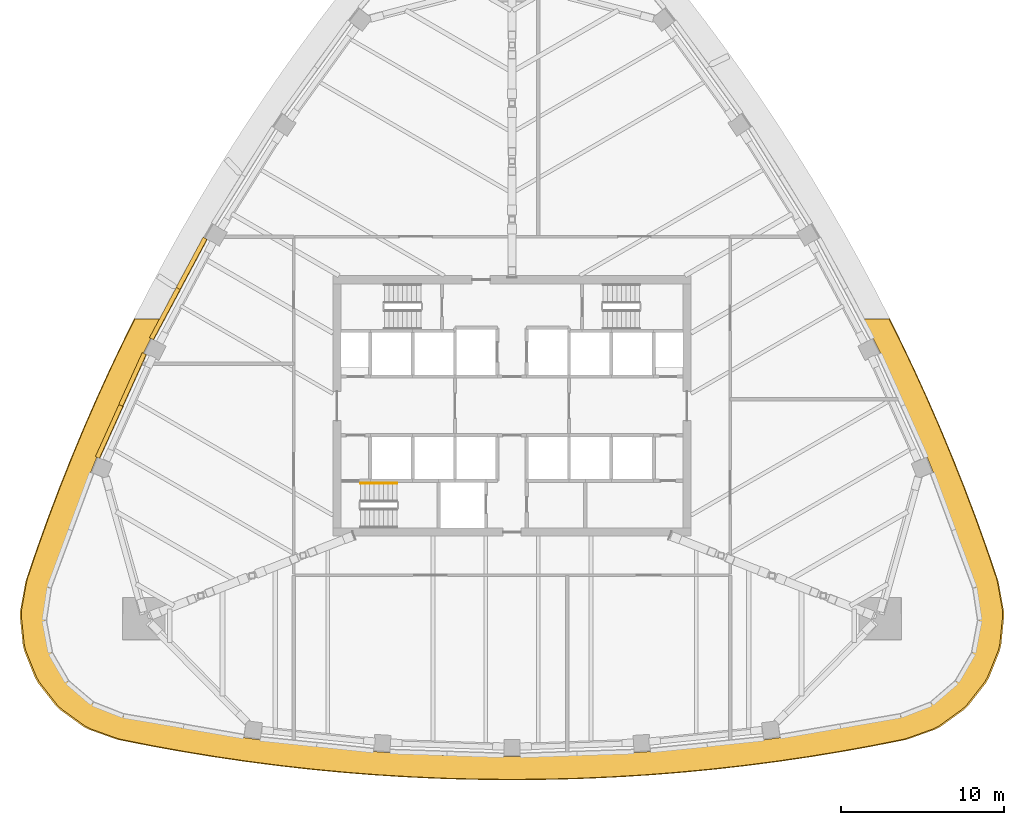
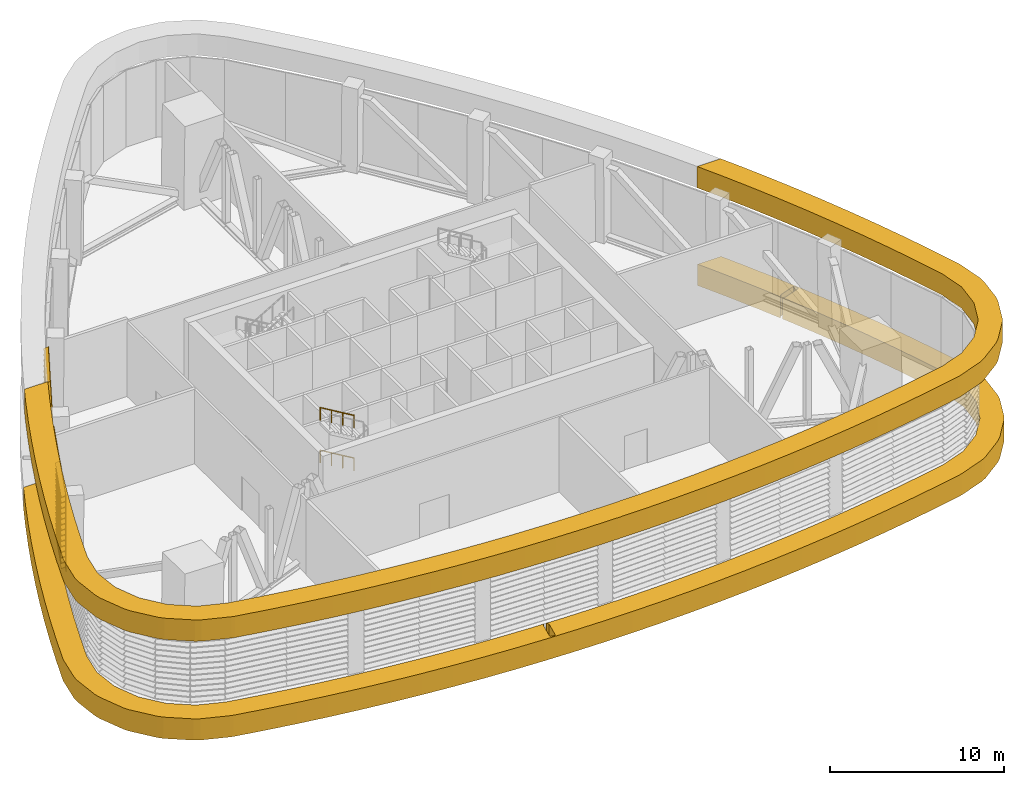
# One storey, part 13 of 18: 4 shading devices, 2 coverings, 2 railings.
"""IFC4 building model written with IfcOpenShell, lengths in metres."""

import ifcopenshell
import ifcopenshell.guid

model = None  # the IFC model being written
_history = None  # IfcOwnerHistory: only IFC2X3 demands one
_inside = {}  # id of a spatial element -> (the spatial element, [elements in it])
_under = {}  # id of a project, library or spatial element -> (it, [spatial elements below it])
_declared = {}  # id of a project -> (the project, [libraries it declares])
_typed = {}  # id of a type object -> (the type object, [elements of that type])
_made_of = {}  # id of a material, layer set ... -> (it, [elements and type objects made of it])


def new_model(schema):
    """Start an empty IFC model of exactly this schema.

    Asked for "IFC4X3", IfcOpenShell would pick the latest addendum, in which some entities
    have other attributes; the version numbers below select the first issue.
    IFC2X3 requires an IfcOwnerHistory on every rooted entity: one is made here for all.
    """
    global model, _history
    if schema == "IFC4X3":
        model = ifcopenshell.file(schema_version=(4, 3, 0, 0))
    else:
        model = ifcopenshell.file(schema=schema)
    _inside.clear()
    _under.clear()
    _declared.clear()
    _typed.clear()
    _made_of.clear()
    _history = None
    if model.schema == "IFC2X3":
        org = make("IfcOrganization", Name="unknown")
        user = make(
            "IfcPersonAndOrganization",
            ThePerson=make("IfcPerson", FamilyName="unknown"),
            TheOrganization=org,
        )
        app = make(
            "IfcApplication",
            ApplicationDeveloper=org,
            Version="unknown",
            ApplicationFullName="unknown",
            ApplicationIdentifier="unknown",
        )
        _history = make(
            "IfcOwnerHistory",
            OwningUser=user,
            OwningApplication=app,
            ChangeAction="ADDED",
            CreationDate=0,
        )
    return model


def make(cls, **values):
    """One entity of the class cls with the attributes given. An attribute that is None is left unset."""
    return model.create_entity(
        cls, **{name: value for name, value in values.items() if value is not None}
    )


def rooted(cls, **values):
    """An entity with a GlobalId (a new one), such as an element, a storey or a relation."""
    return make(cls, GlobalId=ifcopenshell.guid.new(), OwnerHistory=_history, **values)


def si_unit(unit_type, name, prefix=None):
    """IfcSIUnit, for example si_unit("LENGTHUNIT", "METRE", prefix="MILLI")."""
    return make("IfcSIUnit", UnitType=unit_type, Prefix=prefix, Name=name)


def assignment(units):
    """IfcUnitAssignment: the units of a project."""
    return None if units is None else make("IfcUnitAssignment", Units=units)


def point(xyz):
    """IfcCartesianPoint."""
    return None if xyz is None else make("IfcCartesianPoint", Coordinates=xyz)


def direction(xyz):
    """IfcDirection."""
    return None if xyz is None else make("IfcDirection", DirectionRatios=xyz)


def frame(location, z_axis=None, x_axis=None):
    """IfcAxis2Placement3D, a coordinate frame: its origin and axes. An axis left out is left unset."""
    return make(
        "IfcAxis2Placement3D",
        Location=point(location),
        Axis=direction(z_axis),
        RefDirection=direction(x_axis),
    )


def frame_2d(location, x_axis=None):
    """IfcAxis2Placement2D, a coordinate frame in the plane: its origin and x axis."""
    return make(
        "IfcAxis2Placement2D", Location=point(location), RefDirection=direction(x_axis)
    )


def origin():
    """The frame at (0, 0, 0) with its axes left unset."""
    return frame((0.0, 0.0, 0.0))


def origin_2d():
    """The frame at (0, 0) in the plane with its x axis left unset."""
    return frame_2d((0.0, 0.0))


def place(relative_to, where):
    """IfcLocalPlacement: puts the frame where relative to a parent placement (None: the world)."""
    return make(
        "IfcLocalPlacement", PlacementRelTo=relative_to, RelativePlacement=where
    )


def context(
    kind, dimensions, precision=None, world=None, true_north=None, identifier=None
):
    """IfcGeometricRepresentationContext, for example the 3D "Model" context."""
    return make(
        "IfcGeometricRepresentationContext",
        ContextIdentifier=identifier,
        ContextType=kind,
        CoordinateSpaceDimension=dimensions,
        Precision=precision,
        WorldCoordinateSystem=world,
        TrueNorth=true_north,
    )


def subcontext(parent, identifier, kind, view, scale=None):
    """IfcGeometricRepresentationSubContext, for example "Body" below "Model"."""
    return make(
        "IfcGeometricRepresentationSubContext",
        ContextIdentifier=identifier,
        ContextType=kind,
        ParentContext=parent,
        TargetScale=scale,
        TargetView=view,
    )


def project(units=None, contexts=None):
    """IfcProject with its units and contexts."""
    return rooted(
        "IfcProject",
        Name="project",
        RepresentationContexts=contexts,
        UnitsInContext=assignment(units),
    )


def spatial(cls, under=None, at=None, **own):
    """A site, building, storey or space (cls), placed at a placement, below another one or the project."""
    s = rooted(cls, ObjectPlacement=at, **own)
    if under is not None:
        _under.setdefault(under.id(), (under, []))[1].append(s)
    return s


def polyline(points):
    """IfcPolyline through the points."""
    return make("IfcPolyline", Points=[point(p) for p in points])


def profile(cls, at=None, kind="AREA", **sizes):
    """A parametric profile (cls). Its sizes go by their IFC names, for example OverallWidth=200.0."""
    return make(cls, ProfileType=kind, Position=at, **sizes)


def circle(**sizes):
    """IfcCircleProfileDef."""
    return profile("IfcCircleProfileDef", **sizes)


def outline(outer, holes=None, kind="AREA"):
    """IfcArbitraryClosedProfileDef: a profile drawn as a closed curve; with holes, ...WithVoids."""
    if holes is None:
        return make("IfcArbitraryClosedProfileDef", ProfileType=kind, OuterCurve=outer)
    return make(
        "IfcArbitraryProfileDefWithVoids",
        ProfileType=kind,
        OuterCurve=outer,
        InnerCurves=holes,
    )


def extrude(swept, where, along, depth):
    """IfcExtrudedAreaSolid: the profile swept, set in the frame where, extruded along a direction by depth."""
    return make(
        "IfcExtrudedAreaSolid",
        SweptArea=swept,
        Position=where,
        ExtrudedDirection=direction(along),
        Depth=depth,
    )


def shape(context_of_items, identifier, shape_type, items):
    """IfcShapeRepresentation: the items that make up one representation, for example the "Body"."""
    return make(
        "IfcShapeRepresentation",
        ContextOfItems=context_of_items,
        RepresentationIdentifier=identifier,
        RepresentationType=shape_type,
        Items=items,
    )


def material(Name=None, Category=None):
    """IfcMaterial."""
    return make("IfcMaterial", Name=Name, Category=Category)


def layer(
    of_material, thickness, ventilated=None, Name=None, Category=None, Priority=None
):
    """IfcMaterialLayer: one layer of a wall or slab, of a material (None: an air gap)."""
    return make(
        "IfcMaterialLayer",
        Material=of_material,
        LayerThickness=thickness,
        IsVentilated=ventilated,
        Name=Name,
        Category=Category,
        Priority=Priority,
    )


def layer_set(layers, Name=None):
    """IfcMaterialLayerSet."""
    return make("IfcMaterialLayerSet", MaterialLayers=layers, LayerSetName=Name)


def made_of(thing, what):
    """Note that an element or type object is made of a material, layer set ...; save() writes the relation."""
    if what is not None:
        _made_of.setdefault(what.id(), (what, []))[1].append(thing)
    return thing


def type_object(cls, material=None, **own):
    """A type object (cls), such as IfcWallType, which elements share."""
    return made_of(rooted(cls, **own), material)


def element(
    cls,
    number,
    at=None,
    inside=None,
    cuts=None,
    type_object=None,
    material=None,
    context=None,
    identifier="Body",
    shape_type=None,
    held_by="IfcProductDefinitionShape",
    body=None,
    shapes=None,
    **own,
):
    """One element of the class cls, such as IfcWall. Its Tag is "e" and its number.

    at: its placement. inside: the storey or other place that contains it. cuts: it is an
    opening in that element (IfcRelVoidsElement). A single representation is given by context,
    identifier, shape_type and body (its items); several are given by shapes. held_by: the class
    of the entity that holds the representations. save() writes the other relations.
    """
    e = rooted(cls, Tag="e%d" % number, ObjectPlacement=at, **own)
    if body is not None:
        shapes = [shape(context, identifier, shape_type, body)]
    if shapes is not None:
        e.Representation = make(held_by, Representations=shapes)
    if inside is not None:
        _inside.setdefault(inside.id(), (inside, []))[1].append(e)
    if cuts is not None:
        rooted(
            "IfcRelVoidsElement", RelatingBuildingElement=cuts, RelatedOpeningElement=e
        )
    if type_object is not None:
        _typed.setdefault(type_object.id(), (type_object, []))[1].append(e)
    return made_of(e, material)


def aggregate(whole, parts):
    """IfcRelAggregates: a whole, such as a stair, and the parts it consists of."""
    return rooted("IfcRelAggregates", RelatingObject=whole, RelatedObjects=parts)


def save(model, path):
    """Write the relations noted so far, then the file.

    IfcRelAggregates (storeys below a building ...), IfcRelContainedInSpatialStructure (elements
    in a storey), IfcRelDefinesByType, IfcRelAssociatesMaterial and IfcRelDeclares: one each for
    every whole, place, type object, material and project.
    """
    for whole, parts in _under.values():
        aggregate(whole, parts)
    for where, things in _inside.values():
        rooted(
            "IfcRelContainedInSpatialStructure",
            RelatedElements=things,
            RelatingStructure=where,
        )
    for kind, things in _typed.values():
        rooted("IfcRelDefinesByType", RelatedObjects=things, RelatingType=kind)
    for what, things in _made_of.values():
        rooted("IfcRelAssociatesMaterial", RelatedObjects=things, RelatingMaterial=what)
    for by, libraries in _declared.values():
        rooted("IfcRelDeclares", RelatingContext=by, RelatedDefinitions=libraries)
    model.write(path)


model = new_model("IFC4")

# Units and contexts
model_context = context("Model", 3, precision=1e-05, world=origin(), true_north=direction((0.0, 1.0)))
body_context = subcontext(model_context, "Body", "Model", "MODEL_VIEW")
ifc_project = project(units=[si_unit("LENGTHUNIT", "METRE"), si_unit("AREAUNIT", "SQUARE_METRE"), si_unit("VOLUMEUNIT", "CUBIC_METRE"), si_unit("PLANEANGLEUNIT", "RADIAN"), si_unit("MASSUNIT", "GRAM", prefix="KILO")], contexts=[model_context])

# Site, building, storey
site_placement = place(None, origin())
site = spatial("IfcSite", under=ifc_project, at=site_placement, CompositionType="ELEMENT")
building_placement = place(site_placement, origin())
building = spatial("IfcBuilding", under=site, at=building_placement, Name="Sierra Prisma Convention Tower", CompositionType="ELEMENT")
storey_placement = place(building_placement, frame((0.0, 0.0, 213.800048828125)))
storey = spatial("IfcBuildingStorey", under=building, at=storey_placement, Name="L48", CompositionType="ELEMENT", Elevation=213.800048828125)

# Coverings
ifc_material_1 = material(Name="Aluminium composite bronze anodised", Category="aluminium")
ifc_layer = layer(ifc_material_1, 1.39990234375)
ifc_layer_set = layer_set([ifc_layer], Name="Bronze belt mass")
covering_type = type_object("IfcCoveringType", Name="Bronze belt mass", PredefinedType="CLADDING", material=ifc_layer_set)
covering_1_placement = place(storey_placement, frame((0.0, 0.0, -1.5)))
element("IfcCovering", 1, at=covering_1_placement, inside=storey, type_object=covering_type, Name="Belt mass lower L48.1", PredefinedType="CLADDING", context=body_context, shape_type="SweptSolid", body=[
    extrude(outline(polyline([(-27.876708984375, -5.189208984375), (-27.868408203125, -5.16796875), (-27.16064453125, -3.37890625), (-27.152099609375, -3.357666015625), (-26.415283203125, -1.580322265625), (-26.40625, -1.559326171875), (-25.640380859375, 0.205810546875), (-25.63134765625, 0.2265625), (-24.8369140625, 1.978759765625), (-24.8271484375, 1.99951171875), (-24.004150390625, 3.738525390625), (-23.994384765625, 3.75927734375), (-23.205078125, 5.359130859375), (-21.6337890625, 5.359130859375), (-21.887451171875, 4.865234375), (-22.73876953125, 3.139892578125), (-23.561767578125, 1.400634765625), (-24.356201171875, -0.3515625), (-25.1220703125, -2.11669921875), (-25.85888671875, -3.893798828125), (-26.566650390625, -5.682861328125), (-27.2451171875, -7.4833984375), (-27.894287109375, -9.29443359375), (-28.513671875, -11.115966796875), (-28.822998046875, -12.8251953125), (-28.64599609375, -14.552978515625), (-27.996826171875, -16.1640625), (-26.92626953125, -17.53173828125), (-25.518310546875, -18.548828125), (-23.883544921875, -19.135498046875), (-21.996337890625, -19.510009765625), (-20.103271484375, -19.853515625), (-18.204833984375, -20.166015625), (-16.301513671875, -20.447509765625), (-14.39404296875, -20.697998046875), (-12.482666015625, -20.917236328125), (-10.56787109375, -21.10546875), (-8.650146484375, -21.26220703125), (-6.730224609375, -21.3876953125), (-4.80859375, -21.48193359375), (-4.08642578125, -21.505615234375), (-4.0869140625, -21.505615234375), (-4.091796875, -21.5078125), (-4.09619140625, -21.510498046875), (-4.100341796875, -21.513671875), (-4.10400390625, -21.51708984375), (-4.107421875, -21.52099609375), (-4.183837890625, -21.61669921875), (-4.1865234375, -21.62060546875), (-4.188720703125, -21.62451171875), (-4.19091796875, -21.62890625), (-4.1923828125, -21.63330078125), (-4.193603515625, -21.6376953125), (-4.419921875, -22.714111328125), (-4.420654296875, -22.718994140625), (-4.4208984375, -22.723876953125), (-4.420654296875, -22.728759765625), (-4.419921875, -22.733642578125), (-4.4189453125, -22.73828125), (-4.417236328125, -22.7431640625), (-4.415283203125, -22.74755859375), (-4.41259765625, -22.751708984375), (-4.409912109375, -22.755615234375), (-4.406494140625, -22.759521484375), (-4.403076171875, -22.7626953125), (-4.399169921875, -22.765625), (-4.39501953125, -22.768310546875), (-4.390380859375, -22.7705078125), (-4.385986328125, -22.772216796875), (-4.381103515625, -22.7734375), (-4.136474609375, -22.82470703125), (-4.131591796875, -22.82568359375), (-4.126708984375, -22.82568359375), (-4.121826171875, -22.82568359375), (-4.116943359375, -22.824951171875), (-4.1123046875, -22.823974609375), (-4.107666015625, -22.822265625), (-4.10302734375, -22.8203125), (-4.098876953125, -22.817626953125), (-4.094970703125, -22.814697265625), (-4.09130859375, -22.8115234375), (-4.087890625, -22.80810546875), (-4.0849609375, -22.80419921875), (-4.08251953125, -22.7998046875), (-4.080078125, -22.79541015625), (-4.07861328125, -22.791015625), (-4.077392578125, -22.7861328125), (-3.85107421875, -21.709716796875), (-3.850341796875, -21.705078125), (-3.85009765625, -21.700439453125), (-3.85009765625, -21.69580078125), (-3.8505859375, -21.691162109375), (-3.8515625, -21.6865234375), (-3.85302734375, -21.68212890625), (-3.854736328125, -21.677978515625), (-3.92333984375, -21.533935546875), (-3.925537109375, -21.529541015625), (-3.928466796875, -21.525390625), (-3.931640625, -21.521484375), (-3.93505859375, -21.51806640625), (-3.93896484375, -21.514892578125), (-3.943115234375, -21.51220703125), (-3.947509765625, -21.510009765625), (-2.8857421875, -21.544677734375), (-0.9619140625, -21.576171875), (0.9619140625, -21.576171875), (2.8857421875, -21.544677734375), (4.80859375, -21.48193359375), (6.730224609375, -21.3876953125), (8.650146484375, -21.26220703125), (10.56787109375, -21.10546875), (12.482666015625, -20.917236328125), (14.39404296875, -20.697998046875), (16.301513671875, -20.447509765625), (18.204833984375, -20.166015625), (20.103271484375, -19.853515625), (21.996337890625, -19.510009765625), (23.883544921875, -19.135498046875), (25.518310546875, -18.548828125), (26.92626953125, -17.53173828125), (27.996826171875, -16.1640625), (28.64599609375, -14.552978515625), (28.822998046875, -12.8251953125), (28.513671875, -11.115966796875), (27.894287109375, -9.29443359375), (27.2451171875, -7.4833984375), (26.566650390625, -5.682861328125), (25.85888671875, -3.893798828125), (25.1220703125, -2.11669921875), (24.356201171875, -0.3515625), (24.193603515625, 0.007080078125), (24.19482421875, 0.00537109375), (24.1982421875, 0.001953125), (24.201904296875, -0.001220703125), (24.2060546875, -0.00390625), (24.210205078125, -0.00634765625), (24.214599609375, -0.00830078125), (24.21923828125, -0.010009765625), (24.22412109375, -0.010986328125), (24.35400390625, -0.03369140625), (24.359130859375, -0.034423828125), (24.3642578125, -0.034423828125), (24.369384765625, -0.0341796875), (24.37451171875, -0.033203125), (24.37939453125, -0.03173828125), (25.4169921875, 0.33349609375), (25.42138671875, 0.33544921875), (25.42578125, 0.337646484375), (25.429931640625, 0.34033203125), (25.43359375, 0.343505859375), (25.437255859375, 0.346923828125), (25.440185546875, 0.350830078125), (25.443115234375, 0.354736328125), (25.4453125, 0.359130859375), (25.447265625, 0.36376953125), (25.44873046875, 0.368408203125), (25.44970703125, 0.373291015625), (25.4501953125, 0.3779296875), (25.4501953125, 0.3828125), (25.44970703125, 0.3876953125), (25.448974609375, 0.392578125), (25.447509765625, 0.3974609375), (25.364501953125, 0.63330078125), (25.362548828125, 0.6376953125), (25.3603515625, 0.64208984375), (25.357666015625, 0.64599609375), (25.3544921875, 0.64990234375), (25.35107421875, 0.6533203125), (25.347412109375, 0.656494140625), (25.34326171875, 0.6591796875), (25.3388671875, 0.66162109375), (25.33447265625, 0.66357421875), (25.32958984375, 0.6650390625), (25.324951171875, 0.666015625), (25.320068359375, 0.66650390625), (25.315185546875, 0.66650390625), (25.310302734375, 0.666015625), (25.305419921875, 0.6650390625), (25.30078125, 0.663818359375), (24.26318359375, 0.298583984375), (24.258544921875, 0.29638671875), (24.25390625, 0.294189453125), (24.249755859375, 0.29150390625), (24.24609375, 0.2880859375), (24.242431640625, 0.28466796875), (24.2392578125, 0.28076171875), (24.15087890625, 0.15869140625), (24.148193359375, 0.15478515625), (24.14599609375, 0.150390625), (24.144287109375, 0.14599609375), (24.142822265625, 0.1416015625), (24.141845703125, 0.13671875), (24.141357421875, 0.132080078125), (24.141357421875, 0.127197265625), (24.141845703125, 0.12255859375), (24.14208984375, 0.12060546875), (23.561767578125, 1.400634765625), (22.73876953125, 3.139892578125), (21.887451171875, 4.865234375), (21.6337890625, 5.359130859375), (23.205078125, 5.359130859375), (23.994384765625, 3.75927734375), (24.004150390625, 3.738525390625), (24.8271484375, 1.99951171875), (24.8369140625, 1.978759765625), (25.63134765625, 0.2265625), (25.640380859375, 0.205810546875), (26.40625, -1.559326171875), (26.415283203125, -1.580322265625), (27.152099609375, -3.357666015625), (27.16064453125, -3.37890625), (27.868408203125, -5.16796875), (27.876708984375, -5.189208984375), (28.55517578125, -6.989501953125), (28.56298828125, -7.010986328125), (29.212158203125, -8.822265625), (29.2197265625, -8.84375), (29.839111328125, -10.665283203125), (29.89111328125, -10.86669921875), (30.20068359375, -12.57568359375), (30.2158203125, -12.9677734375), (30.038818359375, -14.695556640625), (29.944580078125, -15.076416015625), (29.29541015625, -16.687255859375), (29.099365234375, -17.027099609375), (28.02880859375, -18.394775390625), (27.74609375, -18.66650390625), (26.338134765625, -19.68359375), (25.9912109375, -19.86669921875), (24.3564453125, -20.453125), (24.156005859375, -20.5087890625), (22.268798828125, -20.883056640625), (22.246337890625, -20.887451171875), (20.353271484375, -21.23095703125), (20.330810546875, -21.23486328125), (18.432373046875, -21.54736328125), (18.409912109375, -21.55078125), (16.506591796875, -21.83251953125), (16.48388671875, -21.835693359375), (14.576416015625, -22.086181640625), (14.5537109375, -22.0888671875), (12.64208984375, -22.30810546875), (12.619384765625, -22.310546875), (10.70458984375, -22.498779296875), (10.681884765625, -22.500732421875), (8.764404296875, -22.65771484375), (8.74169921875, -22.6591796875), (6.82177734375, -22.784912109375), (6.798828125, -22.7861328125), (4.877197265625, -22.880126953125), (4.8544921875, -22.881103515625), (2.931396484375, -22.94384765625), (2.90869140625, -22.944580078125), (0.98486328125, -22.975830078125), (0.9619140625, -22.97607421875), (-0.9619140625, -22.97607421875), (-0.98486328125, -22.975830078125), (-2.90869140625, -22.944580078125), (-2.931396484375, -22.94384765625), (-4.8544921875, -22.881103515625), (-4.877197265625, -22.880126953125), (-6.798828125, -22.7861328125), (-6.82177734375, -22.784912109375), (-8.74169921875, -22.6591796875), (-8.764404296875, -22.65771484375), (-10.681884765625, -22.500732421875), (-10.70458984375, -22.498779296875), (-12.619384765625, -22.310546875), (-12.64208984375, -22.30810546875), (-14.5537109375, -22.0888671875), (-14.576416015625, -22.086181640625), (-16.48388671875, -21.835693359375), (-16.506591796875, -21.83251953125), (-18.409912109375, -21.55078125), (-18.432373046875, -21.54736328125), (-20.330810546875, -21.23486328125), (-20.353271484375, -21.23095703125), (-22.246337890625, -20.887451171875), (-22.268798828125, -20.883056640625), (-24.156005859375, -20.5087890625), (-24.3564453125, -20.453125), (-25.9912109375, -19.86669921875), (-26.338134765625, -19.68359375), (-27.74609375, -18.66650390625), (-28.02880859375, -18.394775390625), (-29.099365234375, -17.027099609375), (-29.29541015625, -16.687255859375), (-29.944580078125, -15.076416015625), (-30.038818359375, -14.695556640625), (-30.2158203125, -12.9677734375), (-30.20068359375, -12.57568359375), (-29.89111328125, -10.86669921875), (-29.839111328125, -10.665283203125), (-29.2197265625, -8.84375), (-29.212158203125, -8.822265625), (-28.56298828125, -7.010986328125), (-28.55517578125, -6.989501953125), (-27.876708984375, -5.189208984375)])), origin(), (0.0, 0.0, 1.0), 1.5),
])
covering_2_placement = place(storey_placement, frame((0.0, 0.0, 5.39990234375)))
element("IfcCovering", 2, at=covering_2_placement, inside=storey, type_object=covering_type, Name="Belt mass upper L48.1", PredefinedType="CLADDING", context=body_context, shape_type="SweptSolid", body=[
    extrude(outline(polyline([(-26.240478515625, -19.64404296875), (-27.654541015625, -18.622314453125), (-27.93701171875, -18.3505859375), (-29.012451171875, -16.976806640625), (-29.20849609375, -16.63720703125), (-29.860595703125, -15.01904296875), (-29.95458984375, -14.63818359375), (-30.132568359375, -12.90283203125), (-30.117431640625, -12.510986328125), (-29.806884765625, -10.794189453125), (-29.754638671875, -10.59228515625), (-29.11181640625, -8.70361328125), (-29.10400390625, -8.680908203125), (-28.42919921875, -6.80322265625), (-28.4208984375, -6.78076171875), (-27.71435546875, -4.914794921875), (-27.705810546875, -4.892578125), (-26.967529296875, -3.038818359375), (-26.95849609375, -3.016845703125), (-26.188720703125, -1.17578125), (-26.179443359375, -1.154052734375), (-25.378662109375, 0.673583984375), (-25.368896484375, 0.6953125), (-24.536865234375, 2.509033203125), (-24.52685546875, 2.530517578125), (-23.664306640625, 4.329833984375), (-23.65380859375, 4.351318359375), (-23.1640625, 5.329833984375), (-21.598388671875, 5.329833984375), (-22.40185546875, 3.724609375), (-23.264404296875, 1.92529296875), (-24.09619140625, 0.111572265625), (-24.897216796875, -1.7158203125), (-25.6669921875, -3.556884765625), (-26.405029296875, -5.41064453125), (-27.11181640625, -7.276611328125), (-27.78662109375, -9.154296875), (-28.42919921875, -11.04345703125), (-28.73974609375, -12.760009765625), (-28.56201171875, -14.49560546875), (-27.909912109375, -16.11376953125), (-26.834716796875, -17.487548828125), (-25.42041015625, -18.50927734375), (-23.778564453125, -19.0986328125), (-21.8212890625, -19.486572265625), (-19.857666015625, -19.841064453125), (-17.88818359375, -20.162109375), (-15.913818359375, -20.44970703125), (-13.9345703125, -20.70361328125), (-11.951416015625, -20.923828125), (-9.96484375, -21.110107421875), (-7.975341796875, -21.2626953125), (-5.9833984375, -21.381591796875), (-3.989990234375, -21.46630859375), (-1.995361328125, -21.517333984375), (0.0, -21.5341796875), (1.995361328125, -21.517333984375), (3.989990234375, -21.46630859375), (5.9833984375, -21.381591796875), (7.975341796875, -21.2626953125), (9.96484375, -21.110107421875), (11.951416015625, -20.923828125), (13.9345703125, -20.70361328125), (15.913818359375, -20.44970703125), (17.88818359375, -20.162109375), (19.857666015625, -19.841064453125), (21.8212890625, -19.486572265625), (23.778564453125, -19.0986328125), (25.42041015625, -18.50927734375), (26.834716796875, -17.487548828125), (27.909912109375, -16.11376953125), (28.56201171875, -14.49560546875), (28.73974609375, -12.760009765625), (28.42919921875, -11.04345703125), (27.78662109375, -9.154296875), (27.11181640625, -7.276611328125), (26.405029296875, -5.41064453125), (25.6669921875, -3.556884765625), (24.897216796875, -1.7158203125), (24.09619140625, 0.111572265625), (23.264404296875, 1.92529296875), (22.40185546875, 3.724609375), (21.598388671875, 5.329833984375), (23.1640625, 5.329833984375), (23.65380859375, 4.351318359375), (23.664306640625, 4.329833984375), (24.52685546875, 2.530517578125), (24.536865234375, 2.509033203125), (25.368896484375, 0.6953125), (25.378662109375, 0.673583984375), (26.179443359375, -1.154052734375), (26.188720703125, -1.17578125), (26.95849609375, -3.016845703125), (26.967529296875, -3.038818359375), (27.705810546875, -4.892578125), (27.71435546875, -4.914794921875), (28.4208984375, -6.78076171875), (28.42919921875, -6.80322265625), (29.10400390625, -8.680908203125), (29.11181640625, -8.70361328125), (29.754638671875, -10.59228515625), (29.806884765625, -10.794189453125), (30.117431640625, -12.510986328125), (30.132568359375, -12.90283203125), (29.95458984375, -14.63818359375), (29.860595703125, -15.01904296875), (29.20849609375, -16.63720703125), (29.012451171875, -16.976806640625), (27.93701171875, -18.3505859375), (27.654541015625, -18.622314453125), (26.240478515625, -19.64404296875), (25.8935546875, -19.826904296875), (24.25146484375, -20.41650390625), (24.050537109375, -20.471923828125), (22.093505859375, -20.85986328125), (22.070068359375, -20.8642578125), (20.1064453125, -21.218994140625), (20.0830078125, -21.222900390625), (18.113525390625, -21.5439453125), (18.090087890625, -21.547607421875), (16.115478515625, -21.835205078125), (16.091796875, -21.83837890625), (14.11279296875, -22.09228515625), (14.089111328125, -22.09521484375), (12.10595703125, -22.315185546875), (12.082275390625, -22.317626953125), (10.095703125, -22.504150390625), (10.072021484375, -22.506103515625), (8.08251953125, -22.65869140625), (8.05859375, -22.660400390625), (6.06689453125, -22.779052734375), (6.04296875, -22.7802734375), (4.049560546875, -22.864990234375), (4.025634765625, -22.865966796875), (2.031005859375, -22.9169921875), (2.007080078125, -22.917236328125), (0.011962890625, -22.93408203125), (-0.011962890625, -22.93408203125), (-2.007080078125, -22.917236328125), (-2.031005859375, -22.9169921875), (-4.025634765625, -22.865966796875), (-4.049560546875, -22.864990234375), (-6.04296875, -22.7802734375), (-6.06689453125, -22.779052734375), (-8.05859375, -22.660400390625), (-8.08251953125, -22.65869140625), (-10.072021484375, -22.506103515625), (-10.095703125, -22.504150390625), (-12.082275390625, -22.317626953125), (-12.10595703125, -22.315185546875), (-14.089111328125, -22.09521484375), (-14.11279296875, -22.09228515625), (-16.091796875, -21.83837890625), (-16.115478515625, -21.835205078125), (-18.090087890625, -21.547607421875), (-18.113525390625, -21.5439453125), (-20.0830078125, -21.222900390625), (-20.1064453125, -21.218994140625), (-22.070068359375, -20.8642578125), (-22.093505859375, -20.85986328125), (-24.050537109375, -20.471923828125), (-24.25146484375, -20.41650390625), (-25.8935546875, -19.826904296875), (-26.240478515625, -19.64404296875)])), origin(), (0.0, 0.0, 1.0), 1.5),
])

# Railings
ifc_material_2 = material(Name="Stainless steel", Category="steel")
railing_type = type_object("IfcRailingType", Name="Exit stair handrail", PredefinedType="HANDRAIL", material=ifc_material_2)
for number, where, name in (
    (3, (-7.06005859375, -4.75, 1.66650390625), "L48 S1 stair handrail 2"),
    (4, (-7.06005859375, -4.75, 4.66650390625), "L48 S1 stair handrail 4"),
):
    element("IfcRailing", number, at=place(storey_placement, frame(where)), inside=storey, type_object=railing_type, Name=name, PredefinedType="HANDRAIL", context=body_context, shape_type="SweptSolid", body=[
        extrude(circle(Radius=0.02392578125, at=origin_2d()), frame((0.0, 0.0, 0.8759765625), z_axis=(-0.859264461869, 0.0, 0.511531606619), x_axis=(0.0, -1.0, 0.0)), (0.0, 0.0, 1.0), 2.60693359375),
        extrude(circle(Radius=0.02099609375, at=origin_2d()), origin(), (0.0, 0.0, 1.0), 0.851806640625),
        extrude(circle(Radius=0.02099609375, at=origin_2d()), frame((-0.74658203125, 0.0, 0.444580078125)), (0.0, 0.0, 1.0), 0.851806640625),
        extrude(circle(Radius=0.02099609375, at=origin_2d()), frame((-1.493408203125, 0.0, 0.888916015625)), (0.0, 0.0, 1.0), 0.851806640625),
        extrude(circle(Radius=0.02099609375, at=origin_2d()), frame((-2.239990234375, 0.0, 1.33349609375)), (0.0, 0.0, 1.0), 0.851806640625),
    ])

# Shading devices
ifc_material_3 = material(Name="Aluminium 6063-T6 bronze anodised", Category="aluminium")
shading_device_type = type_object("IfcShadingDeviceType", Name="Louvre bay bronze", PredefinedType="USERDEFINED", material=ifc_material_3)
shading_device_1_placement = place(storey_placement, frame((-18.70751953125, 10.2236328125, 0.0), z_axis=(0.471925677276, 0.881638335786, 0.0), x_axis=(0.0, 0.0, 1.0)))
element("IfcShadingDevice", 5, at=shading_device_1_placement, inside=storey, type_object=shading_device_type, Name="Louvre L48 NW4.1", ObjectType="LOUVRE", PredefinedType="USERDEFINED", context=body_context, shape_type="SweptSolid", body=[
    extrude(outline(polyline([(0.0, 0.0), (5.39990234375, 0.0), (5.39990234375, -0.029928864635473878), (5.3798828125, -0.029928864635473878), (5.260009765625, -0.2999191888324222), (5.22998046875, -0.2999191888324222), (5.349853515625, -0.029928864635473878), (5.01416015625, -0.029928864635473878), (4.994140625, -0.029928864635473878), (4.874267578125, -0.2999191888324222), (4.84423828125, -0.2999191888324222), (4.96435546875, -0.029928864635473878), (4.62841796875, -0.029928864635473878), (4.608642578125, -0.029928864635473878), (4.488525390625, -0.2999191888324222), (4.45849609375, -0.2999191888324222), (4.57861328125, -0.029928864635473878), (4.242919921875, -0.029928864635473878), (4.222900390625, -0.029928864635473878), (4.102783203125, -0.2999191888324222), (4.07275390625, -0.2999191888324222), (4.19287109375, -0.029928864635473878), (3.857177734375, -0.029928864635473878), (3.837158203125, -0.029928864635473878), (3.717041015625, -0.2999191888324222), (3.68701171875, -0.2999191888324222), (3.80712890625, -0.029928864635473878), (3.471435546875, -0.029928864635473878), (3.451416015625, -0.029928864635473878), (3.331298828125, -0.2999191888324222), (3.30126953125, -0.2999191888324222), (3.42138671875, -0.029928864635473878), (3.085693359375, -0.029928864635473878), (3.065673828125, -0.029928864635473878), (2.945556640625, -0.2999191888324222), (2.915771484375, -0.2999191888324222), (3.03564453125, -0.029928864635473878), (2.699951171875, -0.029928864635473878), (2.679931640625, -0.029928864635473878), (2.56005859375, -0.2999191888324222), (2.530029296875, -0.2999191888324222), (2.64990234375, -0.029928864635473878), (2.314208984375, -0.029928864635473878), (2.294189453125, -0.029928864635473878), (2.17431640625, -0.2999191888324222), (2.144287109375, -0.2999191888324222), (2.26416015625, -0.029928864635473878), (1.928466796875, -0.029928864635473878), (1.908447265625, -0.029928864635473878), (1.78857421875, -0.2999191888324222), (1.758544921875, -0.2999191888324222), (1.87841796875, -0.029928864635473878), (1.542724609375, -0.029928864635473878), (1.522705078125, -0.029928864635473878), (1.40283203125, -0.2999191888324222), (1.372802734375, -0.2999191888324222), (1.492919921875, -0.029928864635473878), (1.156982421875, -0.029928864635473878), (1.13720703125, -0.029928864635473878), (1.01708984375, -0.2999191888324222), (0.987060546875, -0.2999191888324222), (1.107177734375, -0.029928864635473878), (0.771484375, -0.029928864635473878), (0.75146484375, -0.029928864635473878), (0.63134765625, -0.2999191888324222), (0.601318359375, -0.2999191888324222), (0.721435546875, -0.029928864635473878), (0.3857421875, -0.029928864635473878), (0.36572265625, -0.029928864635473878), (0.24560546875, -0.2999191888324222), (0.215576171875, -0.2999191888324222), (0.335693359375, -0.029928864635473878), (0.0, -0.029928864635473878), (0.0, 0.0)])), origin(), (0.0, 0.0, -1.0), 3.4990234375),
])
shading_device_2_placement = place(storey_placement, frame((-20.35302734375, 7.1357421875, 0.0), z_axis=(0.471925677276, 0.881638335786, 0.0), x_axis=(0.0, 0.0, 1.0)))
element("IfcShadingDevice", 6, at=shading_device_2_placement, inside=storey, type_object=shading_device_type, Name="Louvre L48 NW4.2", ObjectType="LOUVRE", PredefinedType="USERDEFINED", context=body_context, shape_type="SweptSolid", body=[
    extrude(outline(polyline([(0.0, 0.0), (5.39990234375, 0.0), (5.39990234375, -0.029928864635473878), (5.3798828125, -0.029928864635473878), (5.260009765625, -0.2999191888324222), (5.22998046875, -0.2999191888324222), (5.349853515625, -0.029928864635473878), (5.01416015625, -0.029928864635473878), (4.994140625, -0.029928864635473878), (4.874267578125, -0.2999191888324222), (4.84423828125, -0.2999191888324222), (4.96435546875, -0.029928864635473878), (4.62841796875, -0.029928864635473878), (4.608642578125, -0.029928864635473878), (4.488525390625, -0.2999191888324222), (4.45849609375, -0.2999191888324222), (4.57861328125, -0.029928864635473878), (4.242919921875, -0.029928864635473878), (4.222900390625, -0.029928864635473878), (4.102783203125, -0.2999191888324222), (4.07275390625, -0.2999191888324222), (4.19287109375, -0.029928864635473878), (3.857177734375, -0.029928864635473878), (3.837158203125, -0.029928864635473878), (3.717041015625, -0.2999191888324222), (3.68701171875, -0.2999191888324222), (3.80712890625, -0.029928864635473878), (3.471435546875, -0.029928864635473878), (3.451416015625, -0.029928864635473878), (3.331298828125, -0.2999191888324222), (3.30126953125, -0.2999191888324222), (3.42138671875, -0.029928864635473878), (3.085693359375, -0.029928864635473878), (3.065673828125, -0.029928864635473878), (2.945556640625, -0.2999191888324222), (2.915771484375, -0.2999191888324222), (3.03564453125, -0.029928864635473878), (2.699951171875, -0.029928864635473878), (2.679931640625, -0.029928864635473878), (2.56005859375, -0.2999191888324222), (2.530029296875, -0.2999191888324222), (2.64990234375, -0.029928864635473878), (2.314208984375, -0.029928864635473878), (2.294189453125, -0.029928864635473878), (2.17431640625, -0.2999191888324222), (2.144287109375, -0.2999191888324222), (2.26416015625, -0.029928864635473878), (1.928466796875, -0.029928864635473878), (1.908447265625, -0.029928864635473878), (1.78857421875, -0.2999191888324222), (1.758544921875, -0.2999191888324222), (1.87841796875, -0.029928864635473878), (1.542724609375, -0.029928864635473878), (1.522705078125, -0.029928864635473878), (1.40283203125, -0.2999191888324222), (1.372802734375, -0.2999191888324222), (1.492919921875, -0.029928864635473878), (1.156982421875, -0.029928864635473878), (1.13720703125, -0.029928864635473878), (1.01708984375, -0.2999191888324222), (0.987060546875, -0.2999191888324222), (1.107177734375, -0.029928864635473878), (0.771484375, -0.029928864635473878), (0.75146484375, -0.029928864635473878), (0.63134765625, -0.2999191888324222), (0.601318359375, -0.2999191888324222), (0.721435546875, -0.029928864635473878), (0.3857421875, -0.029928864635473878), (0.36572265625, -0.029928864635473878), (0.24560546875, -0.2999191888324222), (0.215576171875, -0.2999191888324222), (0.335693359375, -0.029928864635473878), (0.0, -0.029928864635473878), (0.0, 0.0)])), origin(), (0.0, 0.0, -1.0), 3.4990234375),
])
shading_device_3_placement = place(storey_placement, frame((-22.438232421875, 3.150146484375, 0.0), z_axis=(0.412116229929, 0.911131281994, 0.0), x_axis=(0.0, 0.0, 1.0)))
element("IfcShadingDevice", 7, at=shading_device_3_placement, inside=storey, type_object=shading_device_type, Name="Louvre L48 NW5.1", ObjectType="LOUVRE", PredefinedType="USERDEFINED", context=body_context, shape_type="SweptSolid", body=[
    extrude(outline(polyline([(0.0, 0.0), (5.39990234375, 0.0), (5.39990234375, -0.030045076003362634), (5.3798828125, -0.030045076003362634), (5.260009765625, -0.2999689039966364), (5.22998046875, -0.2999689039966364), (5.349853515625, -0.030045076003362634), (5.01416015625, -0.030045076003362634), (4.994140625, -0.030045076003362634), (4.874267578125, -0.2999689039966364), (4.84423828125, -0.2999689039966364), (4.96435546875, -0.030045076003362634), (4.62841796875, -0.030045076003362634), (4.608642578125, -0.030045076003362634), (4.488525390625, -0.2999689039966364), (4.45849609375, -0.2999689039966364), (4.57861328125, -0.030045076003362634), (4.242919921875, -0.030045076003362634), (4.222900390625, -0.030045076003362634), (4.102783203125, -0.2999689039966364), (4.07275390625, -0.2999689039966364), (4.19287109375, -0.030045076003362634), (3.857177734375, -0.030045076003362634), (3.837158203125, -0.030045076003362634), (3.717041015625, -0.2999689039966364), (3.68701171875, -0.2999689039966364), (3.80712890625, -0.030045076003362634), (3.471435546875, -0.030045076003362634), (3.451416015625, -0.030045076003362634), (3.331298828125, -0.2999689039966364), (3.30126953125, -0.2999689039966364), (3.42138671875, -0.030045076003362634), (3.085693359375, -0.030045076003362634), (3.065673828125, -0.030045076003362634), (2.945556640625, -0.2999689039966364), (2.915771484375, -0.2999689039966364), (3.03564453125, -0.030045076003362634), (2.699951171875, -0.030045076003362634), (2.679931640625, -0.030045076003362634), (2.56005859375, -0.2999689039966364), (2.530029296875, -0.2999689039966364), (2.64990234375, -0.030045076003362634), (2.314208984375, -0.030045076003362634), (2.294189453125, -0.030045076003362634), (2.17431640625, -0.2999689039966364), (2.144287109375, -0.2999689039966364), (2.26416015625, -0.030045076003362634), (1.928466796875, -0.030045076003362634), (1.908447265625, -0.030045076003362634), (1.78857421875, -0.2999689039966364), (1.758544921875, -0.2999689039966364), (1.87841796875, -0.030045076003362634), (1.542724609375, -0.030045076003362634), (1.522705078125, -0.030045076003362634), (1.40283203125, -0.2999689039966364), (1.372802734375, -0.2999689039966364), (1.492919921875, -0.030045076003362634), (1.156982421875, -0.030045076003362634), (1.13720703125, -0.030045076003362634), (1.01708984375, -0.2999689039966364), (0.987060546875, -0.2999689039966364), (1.107177734375, -0.030045076003362634), (0.771484375, -0.030045076003362634), (0.75146484375, -0.030045076003362634), (0.63134765625, -0.2999689039966364), (0.601318359375, -0.2999689039966364), (0.721435546875, -0.030045076003362634), (0.3857421875, -0.030045076003362634), (0.36572265625, -0.030045076003362634), (0.24560546875, -0.2999689039966364), (0.215576171875, -0.2999689039966364), (0.335693359375, -0.030045076003362634), (0.0, -0.030045076003362634), (0.0, 0.0)])), origin(), (0.0, 0.0, -1.0), 3.4990234375),
])
shading_device_4_placement = place(storey_placement, frame((-23.8701171875, -0.04248046875, 0.0), z_axis=(0.412116229929, 0.911131281994, 0.0), x_axis=(0.0, 0.0, 1.0)))
element("IfcShadingDevice", 8, at=shading_device_4_placement, inside=storey, type_object=shading_device_type, Name="Louvre L48 NW5.2", ObjectType="LOUVRE", PredefinedType="USERDEFINED", context=body_context, shape_type="SweptSolid", body=[
    extrude(outline(polyline([(0.0, 0.0), (5.39990234375, 0.0), (5.39990234375, -0.030045076003362634), (5.3798828125, -0.030045076003362634), (5.260009765625, -0.2999689039966364), (5.22998046875, -0.2999689039966364), (5.349853515625, -0.030045076003362634), (5.01416015625, -0.030045076003362634), (4.994140625, -0.030045076003362634), (4.874267578125, -0.2999689039966364), (4.84423828125, -0.2999689039966364), (4.96435546875, -0.030045076003362634), (4.62841796875, -0.030045076003362634), (4.608642578125, -0.030045076003362634), (4.488525390625, -0.2999689039966364), (4.45849609375, -0.2999689039966364), (4.57861328125, -0.030045076003362634), (4.242919921875, -0.030045076003362634), (4.222900390625, -0.030045076003362634), (4.102783203125, -0.2999689039966364), (4.07275390625, -0.2999689039966364), (4.19287109375, -0.030045076003362634), (3.857177734375, -0.030045076003362634), (3.837158203125, -0.030045076003362634), (3.717041015625, -0.2999689039966364), (3.68701171875, -0.2999689039966364), (3.80712890625, -0.030045076003362634), (3.471435546875, -0.030045076003362634), (3.451416015625, -0.030045076003362634), (3.331298828125, -0.2999689039966364), (3.30126953125, -0.2999689039966364), (3.42138671875, -0.030045076003362634), (3.085693359375, -0.030045076003362634), (3.065673828125, -0.030045076003362634), (2.945556640625, -0.2999689039966364), (2.915771484375, -0.2999689039966364), (3.03564453125, -0.030045076003362634), (2.699951171875, -0.030045076003362634), (2.679931640625, -0.030045076003362634), (2.56005859375, -0.2999689039966364), (2.530029296875, -0.2999689039966364), (2.64990234375, -0.030045076003362634), (2.314208984375, -0.030045076003362634), (2.294189453125, -0.030045076003362634), (2.17431640625, -0.2999689039966364), (2.144287109375, -0.2999689039966364), (2.26416015625, -0.030045076003362634), (1.928466796875, -0.030045076003362634), (1.908447265625, -0.030045076003362634), (1.78857421875, -0.2999689039966364), (1.758544921875, -0.2999689039966364), (1.87841796875, -0.030045076003362634), (1.542724609375, -0.030045076003362634), (1.522705078125, -0.030045076003362634), (1.40283203125, -0.2999689039966364), (1.372802734375, -0.2999689039966364), (1.492919921875, -0.030045076003362634), (1.156982421875, -0.030045076003362634), (1.13720703125, -0.030045076003362634), (1.01708984375, -0.2999689039966364), (0.987060546875, -0.2999689039966364), (1.107177734375, -0.030045076003362634), (0.771484375, -0.030045076003362634), (0.75146484375, -0.030045076003362634), (0.63134765625, -0.2999689039966364), (0.601318359375, -0.2999689039966364), (0.721435546875, -0.030045076003362634), (0.3857421875, -0.030045076003362634), (0.36572265625, -0.030045076003362634), (0.24560546875, -0.2999689039966364), (0.215576171875, -0.2999689039966364), (0.335693359375, -0.030045076003362634), (0.0, -0.030045076003362634), (0.0, 0.0)])), origin(), (0.0, 0.0, -1.0), 3.4990234375),
])

save(model, "model.ifc")
